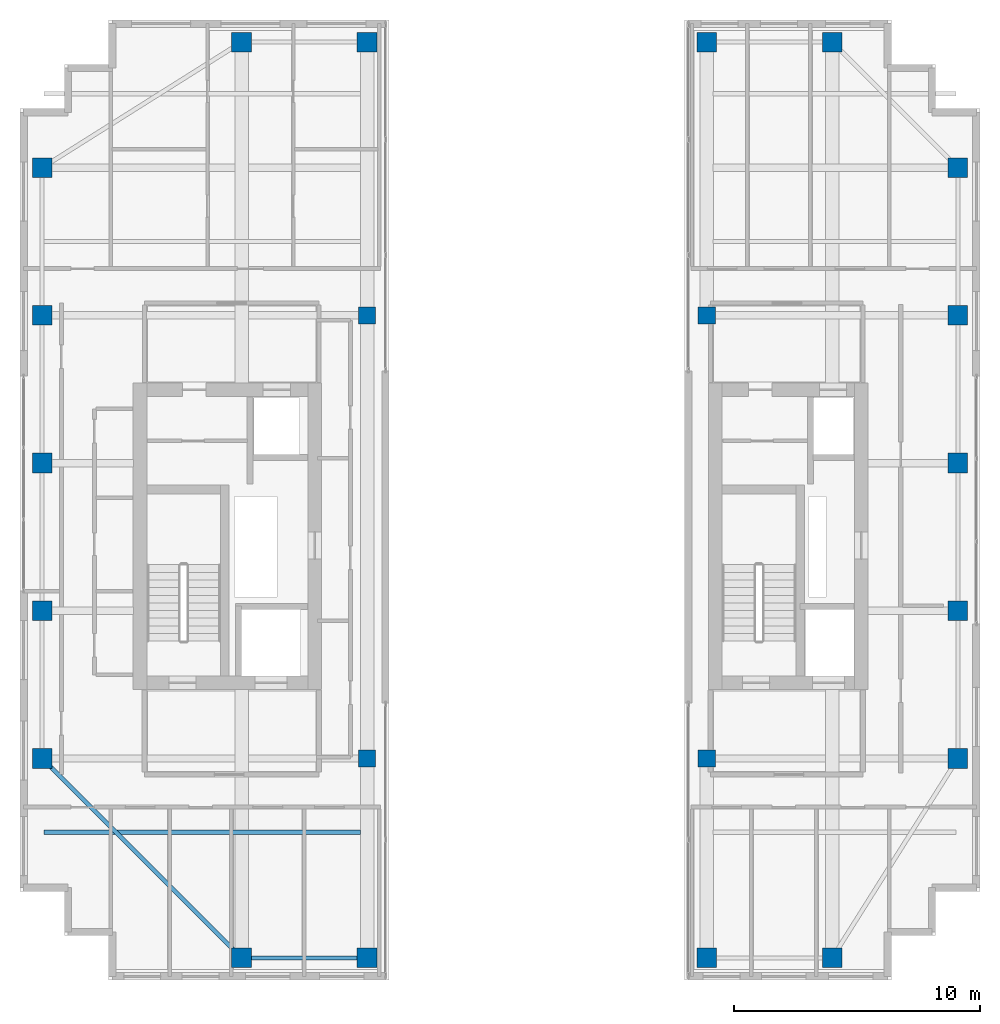
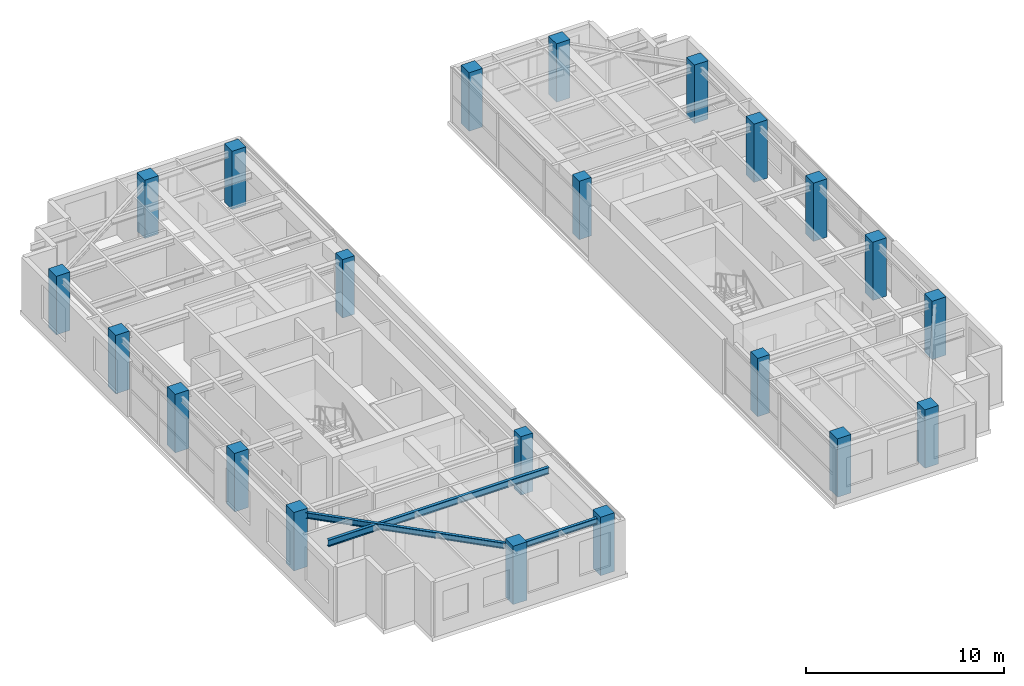
# One storey, part 1 of 23: 22 columns, 3 beams.
"""IFC4 building model written with IfcOpenShell, lengths in metres."""

from ifc_helpers import new_model, si_unit, direction, frame, origin, origin_2d, place, context, subcontext, project, spatial, rectangle, i_section, extrude, source, transform, mapped, material, material_profile, profile_set, type_object, element, save


model = new_model("IFC4")

# Units and contexts
model_context = context("Model", 3, precision=1e-05, world=origin(), true_north=direction((0.0, 1.0)))
body_context = subcontext(model_context, "Body", "Model", "MODEL_VIEW")
ifc_project = project(units=[si_unit("LENGTHUNIT", "METRE"), si_unit("AREAUNIT", "SQUARE_METRE"), si_unit("VOLUMEUNIT", "CUBIC_METRE"), si_unit("PLANEANGLEUNIT", "RADIAN"), si_unit("MASSUNIT", "GRAM", prefix="KILO")], contexts=[model_context])

# Site, building, storey
site_placement = place(None, origin())
site = spatial("IfcSite", under=ifc_project, at=site_placement, CompositionType="ELEMENT")
building_placement = place(site_placement, origin())
building = spatial("IfcBuilding", under=site, at=building_placement, Name="Khoralis Quay Care Tower", CompositionType="ELEMENT")
storey_placement = place(building_placement, frame((0.0, 0.0, 252.89990234375)))
storey = spatial("IfcBuildingStorey", under=building, at=storey_placement, Name="L66", CompositionType="ELEMENT", Elevation=252.89990234375)

# Columns
ifc_material_1 = material(Name="Concrete C50/60", Category="concrete")
ifc_material_profile_1 = material_profile(ifc_material_1, rectangle(XDim=0.800048828125, YDim=0.800048828125, at=origin_2d()), Name="Concrete C50/60")
ifc_profile_set_1 = profile_set([ifc_material_profile_1], Name="Concrete C50/60")
column_type_1 = type_object("IfcColumnType", Name="COL-C800", PredefinedType="COLUMN", material=ifc_profile_set_1)
shared_shape_1 = source(origin(), body_context, "Body", "SweptSolid", [
    extrude(rectangle(XDim=0.800048828125, YDim=0.800048828125, at=origin_2d()), origin(), (0.0, 0.0, 1.0), 3.60009765625),
])
for number, where, z_axis, x_axis, name in (
    (1, (12.0, 3.89990234375, 0.0), (0.0, 0.0, 1.0), (1.0, 0.0, 0.0), "COL-TWR-L66-01"),
    (2, (12.0, 41.10009765625, 0.0), (0.0, 0.0, 1.0), (1.0, 0.0, 0.0), "COL-TWR-L66-02"),
    (3, (17.10009765625, 3.89990234375, 0.0), (0.0, 0.0, 1.0), (1.0, 0.0, 0.0), "COL-TWR-L66-03"),
    (4, (17.10009765625, 41.10009765625, 0.0), (0.0, 0.0, 1.0), (1.0, 0.0, 0.0), "COL-TWR-L66-04"),
    (5, (30.89990234375, 3.89990234375, 0.0), (0.0, 0.0, 1.0), (1.0, 0.0, 0.0), "COL-TWR-L66-05"),
    (6, (30.89990234375, 41.10009765625, 0.0), (0.0, 0.0, 1.0), (1.0, 0.0, 0.0), "COL-TWR-L66-06"),
    (7, (36.0, 3.89990234375, 0.0), (0.0, 0.0, 1.0), (1.0, 0.0, 0.0), "COL-TWR-L66-07"),
    (8, (36.0, 41.10009765625, 0.0), (0.0, 0.0, 1.0), (1.0, 0.0, 0.0), "COL-TWR-L66-08"),
    (9, (3.89990234375, 12.0, 0.0), (0.0, 0.0, 1.0), (1.0, 0.0, 0.0), "COL-TWR-L66-09"),
    (10, (41.10009765625, 12.0, 0.0), (0.0, 0.0, 1.0), (1.0, 0.0, 0.0), "COL-TWR-L66-10"),
    (11, (3.89990234375, 18.0, 0.0), (0.0, 0.0, 1.0), (1.0, 0.0, 0.0), "COL-TWR-L66-11"),
    (12, (41.10009765625, 18.0, 0.0), (0.0, 0.0, 1.0), (1.0, 0.0, 0.0), "COL-TWR-L66-12"),
    (13, (3.89990234375, 24.0, 0.0), (0.0, 0.0, 1.0), (1.0, 0.0, 0.0), "COL-TWR-L66-13"),
    (14, (41.10009765625, 24.0, 0.0), (0.0, 0.0, 1.0), (1.0, 0.0, 0.0), "COL-TWR-L66-14"),
    (15, (3.89990234375, 30.0, 0.0), (0.0, 0.0, 1.0), (1.0, 0.0, 0.0), "COL-TWR-L66-15"),
    (16, (41.10009765625, 30.0, 0.0), (0.0, 0.0, 1.0), (1.0, 0.0, 0.0), "COL-TWR-L66-16"),
    (17, (3.89990234375, 36.0, 0.0), (0.0, 0.0, 1.0), (1.0, 0.0, 0.0), "COL-TWR-L66-17"),
    (18, (41.10009765625, 36.0, 0.0), (0.0, 0.0, 1.0), (1.0, 0.0, 0.0), "COL-TWR-L66-18"),
):
    element("IfcColumn", number, at=place(storey_placement, frame(where, z_axis=z_axis, x_axis=x_axis)), inside=storey, type_object=column_type_1, Name=name, PredefinedType="COLUMN", context=body_context, shape_type="MappedRepresentation", body=[
        mapped(shared_shape_1, transform((0.0, 0.0, 0.0), scale=1.0)),
    ])
ifc_material_profile_2 = material_profile(ifc_material_1, rectangle(XDim=0.699951171875, YDim=0.699951171875, at=origin_2d()), Name="Concrete C50/60")
ifc_profile_set_2 = profile_set([ifc_material_profile_2], Name="Concrete C50/60")
column_type_2 = type_object("IfcColumnType", Name="COL-C700", PredefinedType="COLUMN", material=ifc_profile_set_2)
shared_shape_2 = source(origin(), body_context, "Body", "SweptSolid", [
    extrude(rectangle(XDim=0.699951171875, YDim=0.699951171875, at=origin_2d()), origin(), (0.0, 0.0, 1.0), 3.60009765625),
])
for number, where, z_axis, x_axis, name in (
    (19, (17.10009765625, 12.0, 0.0), (0.0, 0.0, 1.0), (1.0, 0.0, 0.0), "COL-TWR-L66-19"),
    (20, (17.10009765625, 30.0, 0.0), (0.0, 0.0, 1.0), (1.0, 0.0, 0.0), "COL-TWR-L66-20"),
    (21, (30.89990234375, 12.0, 0.0), (0.0, 0.0, 1.0), (1.0, 0.0, 0.0), "COL-TWR-L66-21"),
    (22, (30.89990234375, 30.0, 0.0), (0.0, 0.0, 1.0), (1.0, 0.0, 0.0), "COL-TWR-L66-22"),
):
    element("IfcColumn", number, at=place(storey_placement, frame(where, z_axis=z_axis, x_axis=x_axis)), inside=storey, type_object=column_type_2, Name=name, PredefinedType="COLUMN", context=body_context, shape_type="MappedRepresentation", body=[
        mapped(shared_shape_2, transform((0.0, 0.0, 0.0), scale=1.0)),
    ])

# Beams
ifc_material_2 = material(Name="Steel S355", Category="steel")
ifc_material_profile_3 = material_profile(ifc_material_2, i_section(OverallWidth=0.169921875, OverallDepth=0.360107421875, WebThickness=0.008056640625, FlangeThickness=0.0126953125, FilletRadius=0.01806640625, at=origin_2d()), Name="Steel S355")
ifc_profile_set_3 = profile_set([ifc_material_profile_3], Name="Steel S355")
beam_type_1 = type_object("IfcBeamType", Name="BM-IPE360", PredefinedType="SPANDREL", material=ifc_profile_set_3)
shared_shape_3 = source(origin(), body_context, "Body", "SweptSolid", [
    extrude(i_section(OverallWidth=0.169921875, OverallDepth=0.360107421875, WebThickness=0.008056640625, FlangeThickness=0.0126953125, FilletRadius=0.01806640625, at=origin_2d()), origin(), (0.0, 0.0, 1.0), 5.10009765625),
])
beam_1_placement = place(storey_placement, frame((12.0, 3.89990234375, 3.18017578125), z_axis=(1.0, 0.0, 0.0), x_axis=(0.0, 1.0, 0.0)))
element("IfcBeam", 23, at=beam_1_placement, inside=storey, type_object=beam_type_1, Name="BM-TSP-L66-01", PredefinedType="SPANDREL", context=body_context, shape_type="MappedRepresentation", body=[
    mapped(shared_shape_3, transform((0.0, 0.0, 0.0), scale=1.0)),
])
shared_shape_4 = source(origin(), body_context, "Body", "SweptSolid", [
    extrude(i_section(OverallWidth=0.169921875, OverallDepth=0.360107421875, WebThickness=0.008056640625, FlangeThickness=0.0126953125, FilletRadius=0.01806640625, at=origin_2d()), origin(), (0.0, 0.0, 1.0), 11.455322265625),
])
beam_2_placement = place(storey_placement, frame((12.0, 3.89990234375, 3.18017578125), z_axis=(-0.707106781187, 0.707106781187, 0.0), x_axis=(-0.707106781187, -0.707106781187, 0.0)))
element("IfcBeam", 24, at=beam_2_placement, inside=storey, type_object=beam_type_1, Name="BM-TCR-L66-13", PredefinedType="SPANDREL", context=body_context, shape_type="MappedRepresentation", body=[
    mapped(shared_shape_4, transform((0.0, 0.0, 0.0), scale=1.0)),
])
ifc_material_profile_4 = material_profile(ifc_material_2, i_section(OverallWidth=0.177978515625, OverallDepth=0.406982421875, WebThickness=0.0078125, FlangeThickness=0.0126953125, FilletRadius=0.012939453125, at=origin_2d()), Name="Steel S355")
ifc_profile_set_4 = profile_set([ifc_material_profile_4], Name="Steel S355")
beam_type_2 = type_object("IfcBeamType", Name="BM-W410X60", PredefinedType="JOIST", material=ifc_profile_set_4)
shared_shape_5 = source(origin(), body_context, "Body", "SweptSolid", [
    extrude(i_section(OverallWidth=0.177978515625, OverallDepth=0.406982421875, WebThickness=0.0078125, FlangeThickness=0.0126953125, FilletRadius=0.012939453125, at=origin_2d()), origin(), (0.0, 0.0, 1.0), 12.865966796875),
])
beam_3_placement = place(storey_placement, frame((3.970947265625, 9.0, 3.156494140625), z_axis=(1.0, 0.0, 0.0), x_axis=(0.0, 1.0, 0.0)))
element("IfcBeam", 25, at=beam_3_placement, inside=storey, type_object=beam_type_2, Name="BM-TJS-L66-17", PredefinedType="JOIST", context=body_context, shape_type="MappedRepresentation", body=[
    mapped(shared_shape_5, transform((0.0, 0.0, 0.0), scale=1.0)),
])

save(model, "model.ifc")
